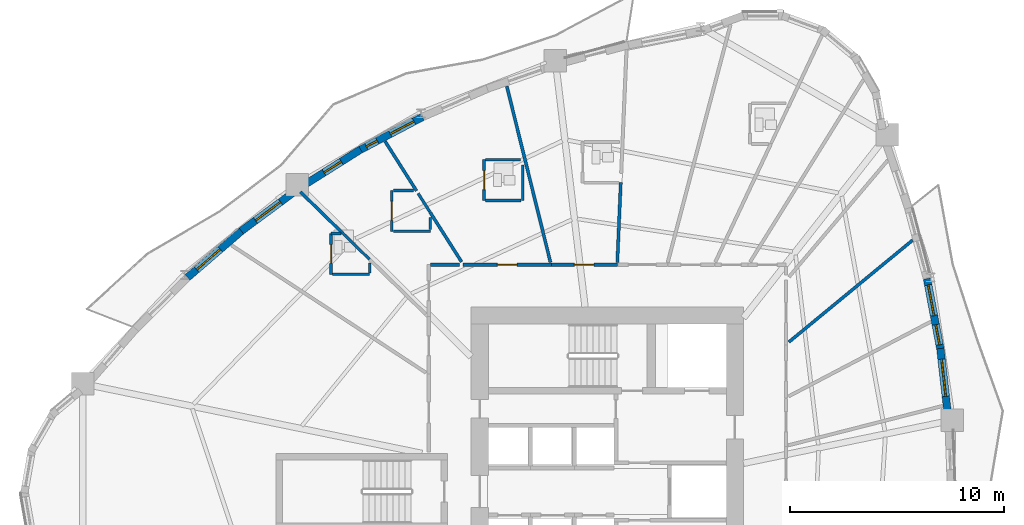
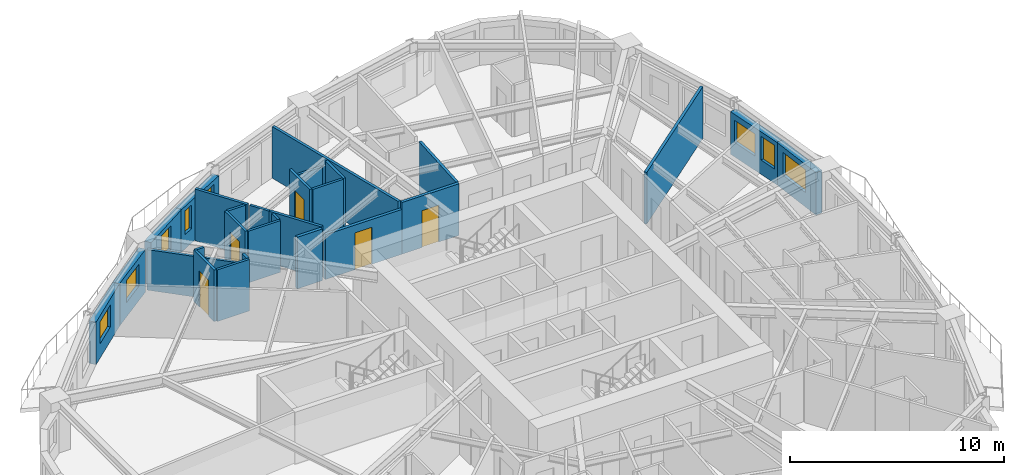
# One storey, part 8 of 14: 29 walls, 8 windows, 5 doors, 13 openings.
"""IFC4 building model written with IfcOpenShell, lengths in metres."""

from ifc_helpers import new_model, si_unit, direction, frame, frame_2d, origin, place, context, subcontext, project, spatial, rectangle, extrude, source, transform, mapped, material, layer, layer_set, type_object, element, fill, save


model = new_model("IFC4")

# Units and contexts
model_context = context("Model", 3, precision=1e-05, world=origin(), true_north=direction((0.0, 1.0)))
body_context = subcontext(model_context, "Body", "Model", "MODEL_VIEW")
ifc_project = project(units=[si_unit("LENGTHUNIT", "METRE"), si_unit("AREAUNIT", "SQUARE_METRE"), si_unit("VOLUMEUNIT", "CUBIC_METRE"), si_unit("PLANEANGLEUNIT", "RADIAN"), si_unit("MASSUNIT", "GRAM", prefix="KILO")], contexts=[model_context])

# Site, building, storey
site_placement = place(None, origin())
site = spatial("IfcSite", under=ifc_project, at=site_placement, CompositionType="ELEMENT")
building_placement = place(site_placement, origin())
building = spatial("IfcBuilding", under=site, at=building_placement, Name="Qafzar Sky-Pleat Residences", CompositionType="ELEMENT")
storey_placement = place(building_placement, frame((0.0, 0.0, 14.199951171875)))
storey = spatial("IfcBuildingStorey", under=building, at=storey_placement, Name="L03", CompositionType="ELEMENT", Elevation=14.199951171875)

# Wall, opening, door
ifc_material_1 = material(Name="Acoustic gypsum plasterboard partition", Category="gypsum")
ifc_layer_1 = layer(ifc_material_1, 0.159912109375)
ifc_layer_set_1 = layer_set([ifc_layer_1], Name="Acoustic gypsum plasterboard partition")
wall_type_1 = type_object("IfcWallType", Name="PART-COR-160", PredefinedType="PARTITIONING", material=ifc_layer_set_1)
wall_1_placement = place(storey_placement, frame((23.617919921875, 36.580078125, 0.0), z_axis=(0.0, 0.0, 1.0), x_axis=(1.0, 0.0, 0.0)))
wall_1 = element("IfcWall", 1, at=wall_1_placement, inside=storey, type_object=wall_type_1, Name="L03 Partition Wall PART-L03-PW-001", PredefinedType="PARTITIONING", context=body_context, shape_type="SweptSolid", body=[
    extrude(rectangle(XDim=4.123046875, YDim=0.159912109375, at=frame_2d((2.0615234375, 0.0))), origin(), (0.0, 0.0, 1.0), 2.548095703125),
])
opening_1_placement = place(wall_1_placement, frame((1.60302734375, 0.0, 0.0)))
opening_1 = element("IfcOpeningElement", 2, at=opening_1_placement, cuts=wall_1, Name="Opening ID-04", PredefinedType="OPENING", context=body_context, shape_type="SweptSolid", body=[
    extrude(rectangle(XDim=0.919921875, YDim=2.10009765625, at=frame_2d((0.4599609375, 1.050048828125))), frame((0.0, 0.08984375, 0.0), z_axis=(0.0, -1.0, 0.0), x_axis=(1.0, 0.0, 0.0)), (0.0, 0.0, 1.0), 0.179931640625),
])
ifc_material_2 = material(Name="Timber-faced fire door", Category="wood")
door_type_1 = type_object("IfcDoorType", Name="DR-BED-920", OperationType="NOTDEFINED", PredefinedType="DOOR", material=ifc_material_2)
shared_shape_1 = source(origin(), body_context, "Body", "SweptSolid", [
    extrude(rectangle(XDim=0.919921875, YDim=2.10009765625, at=frame_2d((0.4599609375, 1.050048828125))), frame((0.0, 0.02490234375, 0.0), z_axis=(0.0, -1.0, 0.0), x_axis=(1.0, 0.0, 0.0)), (0.0, 0.0, 1.0), 0.050048828125),
])
door_1_placement = place(opening_1_placement, origin())
door_1 = element("IfcDoor", 3, at=door_1_placement, inside=storey, type_object=door_type_1, Name="L03 Co-Living Bedroom 9 Door", OperationType="SINGLE_SWING_LEFT", OverallHeight=2.10009765625, OverallWidth=0.919921875, PredefinedType="DOOR", context=body_context, shape_type="MappedRepresentation", body=[
    mapped(shared_shape_1, transform((0.0, 0.0, 0.0), x_axis=(1.0, 0.0, 0.0), y_axis=(0.0, 1.0, 0.0), z_axis=(0.0, 0.0, 1.0), scale=1.0)),
])
fill(opening_1, door_1)

wall_2_placement = place(storey_placement, frame((27.756103515625, 36.580078125, 0.0), z_axis=(0.0, 0.0, 1.0), x_axis=(1.0, 0.0, 0.0)))
wall_2 = element("IfcWall", 4, at=wall_2_placement, inside=storey, type_object=wall_type_1, Name="L03 Partition Wall PART-L03-PW-006", PredefinedType="PARTITIONING", context=body_context, shape_type="SweptSolid", body=[
    extrude(rectangle(XDim=3.06982421875, YDim=0.159912109375, at=frame_2d((1.534912109375, 0.0))), origin(), (0.0, 0.0, 1.0), 2.93994140625),
])
opening_2_placement = place(wall_2_placement, frame((1.052490234375, 0.0, 0.0)))
opening_2 = element("IfcOpeningElement", 5, at=opening_2_placement, cuts=wall_2, Name="Opening ID-04", PredefinedType="OPENING", context=body_context, shape_type="SweptSolid", body=[
    extrude(rectangle(XDim=0.919921875, YDim=2.10009765625, at=frame_2d((0.4599609375, 1.050048828125))), frame((0.0, 0.08984375, 0.0), z_axis=(0.0, -1.0, 0.0), x_axis=(1.0, 0.0, 0.0)), (0.0, 0.0, 1.0), 0.179931640625),
])
door_2_placement = place(opening_2_placement, origin())
door_2 = element("IfcDoor", 6, at=door_2_placement, inside=storey, type_object=door_type_1, Name="L03 Co-Living Bedroom 8 Door", OperationType="SINGLE_SWING_LEFT", OverallHeight=2.10009765625, OverallWidth=0.919921875, PredefinedType="DOOR", context=body_context, shape_type="MappedRepresentation", body=[
    mapped(shared_shape_1, transform((0.0, 0.0, 0.0), x_axis=(1.0, 0.0, 0.0), y_axis=(0.0, 1.0, 0.0), z_axis=(0.0, 0.0, 1.0), scale=1.0)),
])
fill(opening_2, door_2)

# Walls
wall_3_placement = place(storey_placement, frame((22.10791015625, 36.580078125, 0.0), z_axis=(0.0, 0.0, 1.0), x_axis=(1.0, 0.0, 0.0)))
element("IfcWall", 7, at=wall_3_placement, inside=storey, type_object=wall_type_1, Name="L03 Partition Wall PART-L03-PW-097", PredefinedType="PARTITIONING", context=body_context, shape_type="SweptSolid", body=[
    extrude(rectangle(XDim=1.350341796875, YDim=0.159912109375, at=frame_2d((0.67529296875, 0.0))), origin(), (0.0, 0.0, 1.0), 2.93994140625),
])
ifc_layer_2 = layer(ifc_material_1, 0.14501953125)
ifc_layer_set_2 = layer_set([ifc_layer_2], Name="Acoustic gypsum plasterboard partition")
wall_type_2 = type_object("IfcWallType", Name="PART-UNIT-145", PredefinedType="PARTITIONING", material=ifc_layer_set_2)
wall_4_placement = place(storey_placement, frame((25.6630859375, 44.89892578125, 0.0), z_axis=(0.0, 0.0, 1.0), x_axis=(0.240695577024, -0.970600658974, 0.0)))
element("IfcWall", 8, at=wall_4_placement, inside=storey, type_object=wall_type_2, Name="L03 Partition Wall PART-L03-PW-046", PredefinedType="PARTITIONING", context=body_context, shape_type="SweptSolid", body=[
    extrude(rectangle(XDim=8.46240234375, YDim=0.14501953125, at=frame_2d((4.231201171875, 0.0))), origin(), (0.0, 0.0, 1.0), 2.93994140625),
])
wall_5_placement = place(storey_placement, frame((38.812255859375, 32.966796875, 0.0), z_axis=(0.0, 0.0, 1.0), x_axis=(0.772048037558, 0.635564180633, 0.0)))
element("IfcWall", 9, at=wall_5_placement, inside=storey, type_object=wall_type_2, Name="L03 Partition Wall PART-L03-PW-048", PredefinedType="PARTITIONING", context=body_context, shape_type="SweptSolid", body=[
    extrude(rectangle(XDim=7.47705078125, YDim=0.14501953125, at=frame_2d((3.738525390625, 0.0))), origin(), (0.0, 0.0, 1.0), 2.93994140625),
])
wall_6_placement = place(storey_placement, frame((30.81494140625, 36.671142578125, 0.0), z_axis=(0.0, 0.0, 1.0), x_axis=(0.043352224588, 0.999059850371, 0.0)))
element("IfcWall", 10, at=wall_6_placement, inside=storey, type_object=wall_type_2, Name="L03 Partition Wall PART-L03-PW-062", PredefinedType="PARTITIONING", context=body_context, shape_type="SweptSolid", body=[
    extrude(rectangle(XDim=3.7392578125, YDim=0.14501953125, at=frame_2d((1.86962890625, 0.0))), origin(), (0.0, 0.0, 1.0), 2.93994140625),
])
wall_7_placement = place(storey_placement, frame((22.08203125, 39.028076171875, 0.0), z_axis=(0.0, 0.0, 1.0), x_axis=(0.535944885386, -0.844252971465, 0.0)))
element("IfcWall", 11, at=wall_7_placement, inside=storey, type_object=wall_type_2, Name="L03 Partition Wall PART-L03-PW-069", PredefinedType="PARTITIONING", context=body_context, shape_type="SweptSolid", body=[
    extrude(rectangle(XDim=2.7509765625, YDim=0.14501953125, at=frame_2d((1.37548828125, 0.0))), origin(), (0.0, 0.0, 1.0), 2.93994140625),
])
wall_8_placement = place(storey_placement, frame((16.033935546875, 39.97412109375, 0.0), z_axis=(0.0, 0.0, 1.0), x_axis=(0.715628345471, -0.69848126042, 0.0)))
element("IfcWall", 12, at=wall_8_placement, inside=storey, type_object=wall_type_2, Name="L03 Partition Wall PART-L03-PW-071", PredefinedType="PARTITIONING", context=body_context, shape_type="SweptSolid", body=[
    extrude(rectangle(XDim=2.790771484375, YDim=0.14501953125, at=frame_2d((1.3955078125, 0.0))), origin(), (0.0, 0.0, 1.0), 2.30810546875),
])
wall_9_placement = place(storey_placement, frame((19.98681640625, 42.329833984375, 0.0), z_axis=(0.0, 0.0, 1.0), x_axis=(0.535808561115, -0.844339496788, 0.0)))
element("IfcWall", 13, at=wall_9_placement, inside=storey, type_object=wall_type_2, Name="L03 Partition Wall PART-L03-PW-072", PredefinedType="PARTITIONING", context=body_context, shape_type="SweptSolid", body=[
    extrude(rectangle(XDim=2.740234375, YDim=0.14501953125, at=frame_2d((1.3701171875, 0.0))), origin(), (0.0, 0.0, 1.0), 2.93994140625),
])

# Wall, opening, door
ifc_material_3 = material(Name="Moisture-resistant gypsum partition", Category="gypsum")
ifc_layer_3 = layer(ifc_material_3, 0.1298828125)
ifc_layer_set_3 = layer_set([ifc_layer_3], Name="Moisture-resistant gypsum partition")
wall_type_3 = type_object("IfcWallType", Name="PART-WET-130", PredefinedType="PARTITIONING", material=ifc_layer_set_3)
wall_10_placement = place(storey_placement, frame((24.60595703125, 41.469970703125, 0.0), z_axis=(0.0, 0.0, 1.0), x_axis=(0.0, -1.0, 0.0)))
wall_10 = element("IfcWall", 14, at=wall_10_placement, inside=storey, type_object=wall_type_3, Name="L03 Partition Wall PART-L03-PW-029", PredefinedType="PARTITIONING", context=body_context, shape_type="SweptSolid", body=[
    extrude(rectangle(XDim=1.89990234375, YDim=0.1298828125, at=frame_2d((0.949951171875, 0.0))), origin(), (0.0, 0.0, 1.0), 2.93994140625),
])
opening_3_placement = place(wall_10_placement, frame((0.510009765625, 0.0, 0.0)))
opening_3 = element("IfcOpeningElement", 15, at=opening_3_placement, cuts=wall_10, Name="Opening ID-07", PredefinedType="OPENING", context=body_context, shape_type="SweptSolid", body=[
    extrude(rectangle(XDim=0.8798828125, YDim=2.050048828125, at=frame_2d((0.43994140625, 1.02490234375))), frame((0.0, 0.074951171875, 0.0), z_axis=(0.0, -1.0, 0.0), x_axis=(1.0, 0.0, 0.0)), (0.0, 0.0, 1.0), 0.14990234375),
])
door_type_2 = type_object("IfcDoorType", Name="DR-WET-880", OperationType="NOTDEFINED", PredefinedType="DOOR", material=ifc_material_2)
shared_shape_2 = source(origin(), body_context, "Body", "SweptSolid", [
    extrude(rectangle(XDim=0.8798828125, YDim=2.050048828125, at=frame_2d((0.43994140625, 1.02490234375))), frame((0.0, 0.02490234375, 0.0), z_axis=(0.0, -1.0, 0.0), x_axis=(1.0, 0.0, 0.0)), (0.0, 0.0, 1.0), 0.050048828125),
])
door_3_placement = place(opening_3_placement, origin())
door_3 = element("IfcDoor", 16, at=door_3_placement, inside=storey, type_object=door_type_2, Name="L03 En-suite Bathroom 9 Door", OperationType="SINGLE_SWING_LEFT", OverallHeight=2.050048828125, OverallWidth=0.8798828125, PredefinedType="DOOR", context=body_context, shape_type="MappedRepresentation", body=[
    mapped(shared_shape_2, transform((0.0, 0.0, 0.0), x_axis=(1.0, 0.0, 0.0), y_axis=(0.0, 1.0, 0.0), z_axis=(0.0, 0.0, 1.0), scale=1.0)),
])
fill(opening_3, door_3)

wall_11_placement = place(storey_placement, frame((17.470947265625, 38.02490234375, 0.0), z_axis=(0.0, 0.0, 1.0), x_axis=(0.0, -1.0, 0.0)))
wall_11 = element("IfcWall", 17, at=wall_11_placement, inside=storey, type_object=wall_type_3, Name="L03 Partition Wall PART-L03-PW-030", PredefinedType="PARTITIONING", context=body_context, shape_type="SweptSolid", body=[
    extrude(rectangle(XDim=1.89990234375, YDim=0.1298828125, at=frame_2d((0.949951171875, 0.0))), origin(), (0.0, 0.0, 1.0), 2.93994140625),
])
opening_4_placement = place(wall_11_placement, frame((0.510009765625, 0.0, 0.0)))
opening_4 = element("IfcOpeningElement", 18, at=opening_4_placement, cuts=wall_11, Name="Opening ID-07", PredefinedType="OPENING", context=body_context, shape_type="SweptSolid", body=[
    extrude(rectangle(XDim=0.8798828125, YDim=2.050048828125, at=frame_2d((0.43994140625, 1.02490234375))), frame((0.0, 0.074951171875, 0.0), z_axis=(0.0, -1.0, 0.0), x_axis=(1.0, 0.0, 0.0)), (0.0, 0.0, 1.0), 0.14990234375),
])
door_4_placement = place(opening_4_placement, origin())
door_4 = element("IfcDoor", 19, at=door_4_placement, inside=storey, type_object=door_type_2, Name="L03 En-suite Bathroom 10 Door", OperationType="SINGLE_SWING_RIGHT", OverallHeight=2.050048828125, OverallWidth=0.8798828125, PredefinedType="DOOR", context=body_context, shape_type="MappedRepresentation", body=[
    mapped(shared_shape_2, transform((0.0, 0.0, 0.0), x_axis=(1.0, 0.0, 0.0), y_axis=(0.0, 1.0, 0.0), z_axis=(0.0, 0.0, 1.0), scale=1.0)),
])
fill(opening_4, door_4)

wall_12_placement = place(storey_placement, frame((20.297119140625, 40.031005859375, 0.0), z_axis=(0.0, 0.0, 1.0), x_axis=(0.0, -1.0, 0.0)))
wall_12 = element("IfcWall", 20, at=wall_12_placement, inside=storey, type_object=wall_type_3, Name="L03 Partition Wall PART-L03-PW-031", PredefinedType="PARTITIONING", context=body_context, shape_type="SweptSolid", body=[
    extrude(rectangle(XDim=1.89990234375, YDim=0.1298828125, at=frame_2d((0.949951171875, 0.0))), origin(), (0.0, 0.0, 1.0), 2.93994140625),
])
opening_5_placement = place(wall_12_placement, frame((0.510009765625, 0.0, 0.0)))
opening_5 = element("IfcOpeningElement", 21, at=opening_5_placement, cuts=wall_12, Name="Opening ID-07", PredefinedType="OPENING", context=body_context, shape_type="SweptSolid", body=[
    extrude(rectangle(XDim=0.8798828125, YDim=2.050048828125, at=frame_2d((0.43994140625, 1.02490234375))), frame((0.0, 0.074951171875, 0.0), z_axis=(0.0, -1.0, 0.0), x_axis=(1.0, 0.0, 0.0)), (0.0, 0.0, 1.0), 0.14990234375),
])
door_5_placement = place(opening_5_placement, origin())
door_5 = element("IfcDoor", 22, at=door_5_placement, inside=storey, type_object=door_type_2, Name="L03 En-suite Bathroom 11 Door", OperationType="SINGLE_SWING_LEFT", OverallHeight=2.050048828125, OverallWidth=0.8798828125, PredefinedType="DOOR", context=body_context, shape_type="MappedRepresentation", body=[
    mapped(shared_shape_2, transform((0.0, 0.0, 0.0), x_axis=(1.0, 0.0, 0.0), y_axis=(0.0, 1.0, 0.0), z_axis=(0.0, 0.0, 1.0), scale=1.0)),
])
fill(opening_5, door_5)

# Walls
wall_13_placement = place(storey_placement, frame((26.406005859375, 39.570068359375, 0.0), z_axis=(0.0, 0.0, 1.0), x_axis=(0.0, 1.0, 0.0)))
element("IfcWall", 23, at=wall_13_placement, inside=storey, type_object=wall_type_3, Name="L03 Partition Wall PART-L03-PW-076", PredefinedType="PARTITIONING", context=body_context, shape_type="SweptSolid", body=[
    extrude(rectangle(XDim=1.659912109375, YDim=0.1298828125, at=frame_2d((0.830078125, 0.0))), origin(), (0.0, 0.0, 1.0), 2.93994140625),
])
wall_14_placement = place(storey_placement, frame((17.5439453125, 36.125, 0.0), z_axis=(0.0, 0.0, 1.0), x_axis=(1.0, 0.0, 0.0)))
element("IfcWall", 24, at=wall_14_placement, inside=storey, type_object=wall_type_3, Name="L03 Partition Wall PART-L03-PW-082", PredefinedType="PARTITIONING", context=body_context, shape_type="SweptSolid", body=[
    extrude(rectangle(XDim=1.72705078125, YDim=0.1298828125, at=frame_2d((0.863525390625, 0.0))), origin(), (0.0, 0.0, 1.0), 2.93994140625),
])
wall_15_placement = place(storey_placement, frame((20.3701171875, 38.131103515625, 0.0), z_axis=(0.0, 0.0, 1.0), x_axis=(1.0, 0.0, 0.0)))
element("IfcWall", 25, at=wall_15_placement, inside=storey, type_object=wall_type_3, Name="L03 Partition Wall PART-L03-PW-083", PredefinedType="PARTITIONING", context=body_context, shape_type="SweptSolid", body=[
    extrude(rectangle(XDim=1.726806640625, YDim=0.1298828125, at=frame_2d((0.86328125, 0.0))), origin(), (0.0, 0.0, 1.0), 2.93994140625),
])
wall_16_placement = place(storey_placement, frame((24.678955078125, 41.469970703125, 0.0), z_axis=(0.0, 0.0, 1.0), x_axis=(1.0, 0.0, 0.0)))
element("IfcWall", 26, at=wall_16_placement, inside=storey, type_object=wall_type_3, Name="L03 Partition Wall PART-L03-PW-087", PredefinedType="PARTITIONING", context=body_context, shape_type="SweptSolid", body=[
    extrude(rectangle(XDim=1.628173828125, YDim=0.1298828125, at=frame_2d((0.81396484375, 0.0))), origin(), (0.0, 0.0, 1.0), 2.508056640625),
])
wall_17_placement = place(storey_placement, frame((24.678955078125, 39.570068359375, 0.0), z_axis=(0.0, 0.0, 1.0), x_axis=(1.0, 0.0, 0.0)))
element("IfcWall", 27, at=wall_17_placement, inside=storey, type_object=wall_type_3, Name="L03 Partition Wall PART-L03-PW-088", PredefinedType="PARTITIONING", context=body_context, shape_type="SweptSolid", body=[
    extrude(rectangle(XDim=1.654052734375, YDim=0.1298828125, at=frame_2d((0.8271484375, 0.0))), origin(), (0.0, 0.0, 1.0), 2.93994140625),
])
wall_18_placement = place(storey_placement, frame((18.041748046875, 38.014404296875, 0.0), z_axis=(0.0, 0.0, 1.0), x_axis=(0.715729497461, -0.698377610225, 0.0)))
element("IfcWall", 28, at=wall_18_placement, inside=storey, type_object=wall_type_3, Name="L03 Partition Wall PART-L03-PW-095", PredefinedType="PARTITIONING", context=body_context, shape_type="SweptSolid", body=[
    extrude(rectangle(XDim=1.702392578125, YDim=0.1298828125, at=frame_2d((0.85107421875, 0.0))), origin(), (0.0, 0.0, 1.0), 2.30810546875),
])
wall_19_placement = place(storey_placement, frame((20.3701171875, 40.031005859375, 0.0), z_axis=(0.0, 0.0, 1.0), x_axis=(1.0, 0.0, 0.0)))
element("IfcWall", 29, at=wall_19_placement, inside=storey, type_object=wall_type_3, Name="L03 Partition Wall PART-L03-PW-103", PredefinedType="PARTITIONING", context=body_context, shape_type="SweptSolid", body=[
    extrude(rectangle(XDim=0.940673828125, YDim=0.1298828125, at=frame_2d((0.47021484375, 0.0))), origin(), (0.0, 0.0, 1.0), 2.93994140625),
])
wall_20_placement = place(storey_placement, frame((21.53076171875, 39.896728515625, 0.0), z_axis=(0.0, 0.0, 1.0), x_axis=(0.536002688679, -0.844216274262, 0.0)))
element("IfcWall", 30, at=wall_20_placement, inside=storey, type_object=wall_type_3, Name="L03 Partition Wall PART-L03-PW-104", PredefinedType="PARTITIONING", context=body_context, shape_type="SweptSolid", body=[
    extrude(rectangle(XDim=1.013916015625, YDim=0.1298828125, at=frame_2d((0.5068359375, 0.0))), origin(), (0.0, 0.0, 1.0), 2.93994140625),
])
wall_21_placement = place(storey_placement, frame((22.096923828125, 38.2041015625, 0.0), z_axis=(0.0, 0.0, 1.0), x_axis=(0.0, 1.0, 0.0)))
element("IfcWall", 31, at=wall_21_placement, inside=storey, type_object=wall_type_3, Name="L03 Partition Wall PART-L03-PW-110", PredefinedType="PARTITIONING", context=body_context, shape_type="SweptSolid", body=[
    extrude(rectangle(XDim=0.560791015625, YDim=0.1298828125, at=frame_2d((0.2802734375, 0.0))), origin(), (0.0, 0.0, 1.0), 2.93994140625),
])
wall_22_placement = place(storey_placement, frame((19.27099609375, 36.197998046875, 0.0), z_axis=(0.0, 0.0, 1.0), x_axis=(0.0, 1.0, 0.0)))
element("IfcWall", 32, at=wall_22_placement, inside=storey, type_object=wall_type_3, Name="L03 Partition Wall PART-L03-PW-115", PredefinedType="PARTITIONING", context=body_context, shape_type="SweptSolid", body=[
    extrude(rectangle(XDim=0.444091796875, YDim=0.1298828125, at=frame_2d((0.22216796875, 0.0))), origin(), (0.0, 0.0, 1.0), 2.93994140625),
])
wall_23_placement = place(storey_placement, frame((17.470947265625, 38.02490234375, 0.0), z_axis=(0.0, 0.0, 1.0), x_axis=(1.0, 0.0, 0.0)))
element("IfcWall", 33, at=wall_23_placement, inside=storey, type_object=wall_type_3, Name="L03 Partition Wall PART-L03-PW-117", PredefinedType="PARTITIONING", context=body_context, shape_type="SweptSolid", body=[
    extrude(rectangle(XDim=0.469970703125, YDim=0.1298828125, at=frame_2d((0.23486328125, 0.0))), origin(), (0.0, 0.0, 1.0), 2.93994140625),
])

# Wall, opening, window
ifc_material_4 = material(Name="Precast concrete C40/50 with honed Riyadh limestone", Category="concrete")
ifc_layer_4 = layer(ifc_material_4, 0.35009765625)
ifc_layer_set_4 = layer_set([ifc_layer_4], Name="Precast concrete C40/50 with honed Riyadh limestone")
wall_type_4 = type_object("IfcWallType", Name="WALL-EXT-350", PredefinedType="SOLIDWALL", material=ifc_layer_set_4)
wall_24_placement = place(storey_placement, frame((46.22509765625, 29.603759765625, 0.0), z_axis=(0.0, 0.0, 1.0), x_axis=(-0.113323399269, 0.993558154905, 0.0)))
wall_24 = element("IfcWall", 34, at=wall_24_placement, inside=storey, type_object=wall_type_4, Name="L03 Limestone Facade Wall 29", PredefinedType="SOLIDWALL", context=body_context, shape_type="SweptSolid", body=[
    extrude(rectangle(XDim=3.0849609375, YDim=0.35009765625, at=frame_2d((1.54248046875, 0.0))), origin(), (0.0, 0.0, 1.0), 2.420166015625),
])
opening_6_placement = place(wall_24_placement, frame((0.8349609375, 0.0, 0.820068359375)))
opening_6 = element("IfcOpeningElement", 35, at=opening_6_placement, cuts=wall_24, Name="Opening WN-14", PredefinedType="OPENING", context=body_context, shape_type="SweptSolid", body=[
    extrude(rectangle(XDim=1.75, YDim=1.300048828125, at=frame_2d((0.875, 0.64990234375))), frame((0.0, 0.18505859375, 0.0), z_axis=(0.0, -1.0, 0.0), x_axis=(1.0, 0.0, 0.0)), (0.0, 0.0, 1.0), 0.3701171875),
])
ifc_material_5 = material(Name="Solar-control low-E glass in bronze aluminium frame", Category="glass")
window_type_1 = type_object("IfcWindowType", Name="WIN-14", PartitioningType="DOUBLE_PANEL_VERTICAL", PredefinedType="WINDOW", material=ifc_material_5)
shared_shape_3 = source(origin(), body_context, "Body", "SweptSolid", [
    extrude(rectangle(XDim=1.75, YDim=1.300048828125, at=frame_2d((0.875, 0.64990234375))), frame((0.0, 0.030029296875, 0.0), z_axis=(0.0, -1.0, 0.0), x_axis=(1.0, 0.0, 0.0)), (0.0, 0.0, 1.0), 0.06005859375),
])
window_1_placement = place(opening_6_placement, origin())
window_1 = element("IfcWindow", 36, at=window_1_placement, inside=storey, type_object=window_type_1, Name="L03 Punched Facade Window 29-2", OverallHeight=1.300048828125, OverallWidth=1.75, PartitioningType="SINGLE_PANEL", PredefinedType="WINDOW", context=body_context, shape_type="MappedRepresentation", body=[
    mapped(shared_shape_3, transform((0.0, 0.0, 0.0), x_axis=(1.0, 0.0, 0.0), y_axis=(0.0, 1.0, 0.0), z_axis=(0.0, 0.0, 1.0), scale=1.0)),
])
fill(opening_6, window_1)

# Wall, openings, windows
wall_25_placement = place(storey_placement, frame((45.888916015625, 32.5810546875, 0.0), z_axis=(0.0, 0.0, 1.0), x_axis=(-0.186670339622, 0.98242260983, 0.0)))
wall_25 = element("IfcWall", 37, at=wall_25_placement, inside=storey, type_object=wall_type_4, Name="L03 Limestone Facade Wall 30", PredefinedType="SOLIDWALL", context=body_context, shape_type="SweptSolid", body=[
    extrude(rectangle(XDim=3.403076171875, YDim=0.35009765625, at=frame_2d((1.70166015625, 0.0))), origin(), (0.0, 0.0, 1.0), 2.420166015625),
])
opening_7_placement = place(wall_25_placement, frame((0.2685546875, 0.0, 0.820068359375)))
opening_7 = element("IfcOpeningElement", 38, at=opening_7_placement, cuts=wall_25, Name="Opening WN-12", PredefinedType="OPENING", context=body_context, shape_type="SweptSolid", body=[
    extrude(rectangle(XDim=0.949951171875, YDim=1.35009765625, at=frame_2d((0.47509765625, 0.675048828125))), frame((0.0, 0.18505859375, 0.0), z_axis=(0.0, -1.0, 0.0), x_axis=(1.0, 0.0, 0.0)), (0.0, 0.0, 1.0), 0.3701171875),
])
opening_8_placement = place(wall_25_placement, frame((1.650146484375, 0.0, 0.820068359375)))
opening_8 = element("IfcOpeningElement", 39, at=opening_8_placement, cuts=wall_25, Name="Opening WN-15", PredefinedType="OPENING", context=body_context, shape_type="SweptSolid", body=[
    extrude(rectangle(XDim=1.449951171875, YDim=1.25, at=frame_2d((0.72509765625, 0.625))), frame((0.0, 0.18505859375, 0.0), z_axis=(0.0, -1.0, 0.0), x_axis=(1.0, 0.0, 0.0)), (0.0, 0.0, 1.0), 0.3701171875),
])
window_type_2 = type_object("IfcWindowType", Name="WIN-12", PartitioningType="SINGLE_PANEL", PredefinedType="WINDOW", material=ifc_material_5)
shared_shape_4 = source(origin(), body_context, "Body", "SweptSolid", [
    extrude(rectangle(XDim=0.949951171875, YDim=1.35009765625, at=frame_2d((0.47509765625, 0.675048828125))), frame((0.0, 0.030029296875, 0.0), z_axis=(0.0, -1.0, 0.0), x_axis=(1.0, 0.0, 0.0)), (0.0, 0.0, 1.0), 0.06005859375),
])
window_2_placement = place(opening_7_placement, origin())
window_2 = element("IfcWindow", 40, at=window_2_placement, inside=storey, type_object=window_type_2, Name="L03 Punched Facade Window 30", OverallHeight=1.35009765625, OverallWidth=0.949951171875, PartitioningType="SINGLE_PANEL", PredefinedType="WINDOW", context=body_context, shape_type="MappedRepresentation", body=[
    mapped(shared_shape_4, transform((0.0, 0.0, 0.0), x_axis=(1.0, 0.0, 0.0), y_axis=(0.0, 1.0, 0.0), z_axis=(0.0, 0.0, 1.0), scale=1.0)),
])
fill(opening_7, window_2)
window_type_3 = type_object("IfcWindowType", Name="WIN-15", PartitioningType="SINGLE_PANEL", PredefinedType="WINDOW", material=ifc_material_5)
shared_shape_5 = source(origin(), body_context, "Body", "SweptSolid", [
    extrude(rectangle(XDim=1.449951171875, YDim=1.25, at=frame_2d((0.72509765625, 0.625))), frame((0.0, 0.030029296875, 0.0), z_axis=(0.0, -1.0, 0.0), x_axis=(1.0, 0.0, 0.0)), (0.0, 0.0, 1.0), 0.06005859375),
])
window_3_placement = place(opening_8_placement, origin())
window_3 = element("IfcWindow", 41, at=window_3_placement, inside=storey, type_object=window_type_3, Name="L03 Punched Facade Window 30-2", OverallHeight=1.25, OverallWidth=1.449951171875, PartitioningType="SINGLE_PANEL", PredefinedType="WINDOW", context=body_context, shape_type="MappedRepresentation", body=[
    mapped(shared_shape_5, transform((0.0, 0.0, 0.0), x_axis=(1.0, 0.0, 0.0), y_axis=(0.0, 1.0, 0.0), z_axis=(0.0, 0.0, 1.0), scale=1.0)),
])
fill(opening_8, window_3)

wall_26_placement = place(storey_placement, frame((21.7275390625, 43.4619140625, 0.0), z_axis=(0.0, 0.0, 1.0), x_axis=(-0.884404833282, -0.466720570435, 0.0)))
wall_26 = element("IfcWall", 42, at=wall_26_placement, inside=storey, type_object=wall_type_4, Name="L03 Limestone Facade Wall 43", PredefinedType="SOLIDWALL", context=body_context, shape_type="SweptSolid", body=[
    extrude(rectangle(XDim=3.345703125, YDim=0.35009765625, at=frame_2d((1.6728515625, 0.0))), origin(), (0.0, 0.0, 1.0), 2.420166015625),
])
opening_9_placement = place(wall_26_placement, frame((0.43994140625, 0.0, 0.820068359375)))
opening_9 = element("IfcOpeningElement", 43, at=opening_9_placement, cuts=wall_26, Name="Opening WN-11", PredefinedType="OPENING", context=body_context, shape_type="SweptSolid", body=[
    extrude(rectangle(XDim=1.25, YDim=1.35009765625, at=frame_2d((0.625, 0.675048828125))), frame((0.0, 0.18505859375, 0.0), z_axis=(0.0, -1.0, 0.0), x_axis=(1.0, 0.0, 0.0)), (0.0, 0.0, 1.0), 0.3701171875),
])
opening_10_placement = place(wall_26_placement, frame((2.3779296875, 0.0, 0.820068359375)))
opening_10 = element("IfcOpeningElement", 44, at=opening_10_placement, cuts=wall_26, Name="Opening WN-17", PredefinedType="OPENING", context=body_context, shape_type="SweptSolid", body=[
    extrude(rectangle(XDim=0.580078125, YDim=1.35009765625, at=frame_2d((0.2900390625, 0.675048828125))), frame((0.0, 0.18505859375, 0.0), z_axis=(0.0, -1.0, 0.0), x_axis=(1.0, 0.0, 0.0)), (0.0, 0.0, 1.0), 0.3701171875),
])
window_type_4 = type_object("IfcWindowType", Name="WIN-17", PartitioningType="SINGLE_PANEL", PredefinedType="WINDOW", material=ifc_material_5)
shared_shape_6 = source(origin(), body_context, "Body", "SweptSolid", [
    extrude(rectangle(XDim=0.580078125, YDim=1.35009765625, at=frame_2d((0.2900390625, 0.675048828125))), frame((0.0, 0.030029296875, 0.0), z_axis=(0.0, -1.0, 0.0), x_axis=(1.0, 0.0, 0.0)), (0.0, 0.0, 1.0), 0.06005859375),
])
window_4_placement = place(opening_10_placement, origin())
window_4 = element("IfcWindow", 45, at=window_4_placement, inside=storey, type_object=window_type_4, Name="L03 Punched Facade Window 43-2", OverallHeight=1.35009765625, OverallWidth=0.580078125, PartitioningType="SINGLE_PANEL", PredefinedType="WINDOW", context=body_context, shape_type="MappedRepresentation", body=[
    mapped(shared_shape_6, transform((0.0, 0.0, 0.0), x_axis=(1.0, 0.0, 0.0), y_axis=(0.0, 1.0, 0.0), z_axis=(0.0, 0.0, 1.0), scale=1.0)),
])
fill(opening_10, window_4)
window_type_5 = type_object("IfcWindowType", Name="WIN-11", PartitioningType="SINGLE_PANEL", PredefinedType="WINDOW", material=ifc_material_5)
shared_shape_7 = source(origin(), body_context, "Body", "SweptSolid", [
    extrude(rectangle(XDim=1.25, YDim=1.35009765625, at=frame_2d((0.625, 0.675048828125))), frame((0.0, 0.030029296875, 0.0), z_axis=(0.0, -1.0, 0.0), x_axis=(1.0, 0.0, 0.0)), (0.0, 0.0, 1.0), 0.06005859375),
])
window_5_placement = place(opening_9_placement, origin())
window_5 = element("IfcWindow", 46, at=window_5_placement, inside=storey, type_object=window_type_5, Name="L03 Punched Facade Window 43", OverallHeight=1.35009765625, OverallWidth=1.25, PartitioningType="SINGLE_PANEL", PredefinedType="WINDOW", context=body_context, shape_type="MappedRepresentation", body=[
    mapped(shared_shape_7, transform((0.0, 0.0, 0.0), x_axis=(1.0, 0.0, 0.0), y_axis=(0.0, 1.0, 0.0), z_axis=(0.0, 0.0, 1.0), scale=1.0)),
])
fill(opening_9, window_5)

# Wall, opening, window
wall_27_placement = place(storey_placement, frame((18.845703125, 41.94482421875, 0.0), z_axis=(0.0, 0.0, 1.0), x_axis=(-0.846424281274, -0.532509094824, 0.0)))
wall_27 = element("IfcWall", 47, at=wall_27_placement, inside=storey, type_object=wall_type_4, Name="L03 Limestone Facade Wall 44", PredefinedType="SOLIDWALL", context=body_context, shape_type="SweptSolid", body=[
    extrude(rectangle(XDim=3.06591796875, YDim=0.35009765625, at=frame_2d((1.532958984375, 0.0))), origin(), (0.0, 0.0, 1.0), 2.420166015625),
])
opening_11_placement = place(wall_27_placement, frame((1.06298828125, 0.0, 0.820068359375)))
opening_11 = element("IfcOpeningElement", 48, at=opening_11_placement, cuts=wall_27, Name="Opening WN-12", PredefinedType="OPENING", context=body_context, shape_type="SweptSolid", body=[
    extrude(rectangle(XDim=0.949951171875, YDim=1.35009765625, at=frame_2d((0.47509765625, 0.675048828125))), frame((0.0, 0.18505859375, 0.0), z_axis=(0.0, -1.0, 0.0), x_axis=(1.0, 0.0, 0.0)), (0.0, 0.0, 1.0), 0.3701171875),
])
window_6_placement = place(opening_11_placement, origin())
window_6 = element("IfcWindow", 49, at=window_6_placement, inside=storey, type_object=window_type_2, Name="L03 Punched Facade Window 44", OverallHeight=1.35009765625, OverallWidth=0.949951171875, PartitioningType="SINGLE_PANEL", PredefinedType="WINDOW", context=body_context, shape_type="MappedRepresentation", body=[
    mapped(shared_shape_4, transform((0.0, 0.0, 0.0), x_axis=(1.0, 0.0, 0.0), y_axis=(0.0, 1.0, 0.0), z_axis=(0.0, 0.0, 1.0), scale=1.0)),
])
fill(opening_11, window_6)

wall_28_placement = place(storey_placement, frame((15.7666015625, 39.9814453125, 0.0), z_axis=(0.0, 0.0, 1.0), x_axis=(-0.803838872114, -0.59484709605, 0.0)))
wall_28 = element("IfcWall", 50, at=wall_28_placement, inside=storey, type_object=wall_type_4, Name="L03 Limestone Facade Wall 45", PredefinedType="SOLIDWALL", context=body_context, shape_type="SweptSolid", body=[
    extrude(rectangle(XDim=3.085205078125, YDim=0.35009765625, at=frame_2d((1.54248046875, 0.0))), origin(), (0.0, 0.0, 1.0), 2.420166015625),
])
opening_12_placement = place(wall_28_placement, frame((0.8125, 0.0, 0.820068359375)))
opening_12 = element("IfcOpeningElement", 51, at=opening_12_placement, cuts=wall_28, Name="Opening WN-15", PredefinedType="OPENING", context=body_context, shape_type="SweptSolid", body=[
    extrude(rectangle(XDim=1.449951171875, YDim=1.25, at=frame_2d((0.72509765625, 0.625))), frame((0.0, 0.18505859375, 0.0), z_axis=(0.0, -1.0, 0.0), x_axis=(1.0, 0.0, 0.0)), (0.0, 0.0, 1.0), 0.3701171875),
])
window_7_placement = place(opening_12_placement, origin())
window_7 = element("IfcWindow", 52, at=window_7_placement, inside=storey, type_object=window_type_3, Name="L03 Punched Facade Window 45", OverallHeight=1.25, OverallWidth=1.449951171875, PartitioningType="SINGLE_PANEL", PredefinedType="WINDOW", context=body_context, shape_type="MappedRepresentation", body=[
    mapped(shared_shape_5, transform((0.0, 0.0, 0.0), x_axis=(1.0, 0.0, 0.0), y_axis=(0.0, 1.0, 0.0), z_axis=(0.0, 0.0, 1.0), scale=1.0)),
])
fill(opening_12, window_7)

wall_29_placement = place(storey_placement, frame((13.356201171875, 38.201904296875, 0.0), z_axis=(0.0, 0.0, 1.0), x_axis=(-0.757466232343, -0.65287434232, 0.0)))
wall_29 = element("IfcWall", 53, at=wall_29_placement, inside=storey, type_object=wall_type_4, Name="L03 Limestone Facade Wall 46", PredefinedType="SOLIDWALL", context=body_context, shape_type="SweptSolid", body=[
    extrude(rectangle(XDim=3.4033203125, YDim=0.35009765625, at=frame_2d((1.70166015625, 0.0))), origin(), (0.0, 0.0, 1.0), 2.420166015625),
])
opening_13_placement = place(wall_29_placement, frame((1.3876953125, 0.0, 0.820068359375)))
opening_13 = element("IfcOpeningElement", 54, at=opening_13_placement, cuts=wall_29, Name="Opening WN-15", PredefinedType="OPENING", context=body_context, shape_type="SweptSolid", body=[
    extrude(rectangle(XDim=1.449951171875, YDim=1.25, at=frame_2d((0.72509765625, 0.625))), frame((0.0, 0.18505859375, 0.0), z_axis=(0.0, -1.0, 0.0), x_axis=(1.0, 0.0, 0.0)), (0.0, 0.0, 1.0), 0.3701171875),
])
window_8_placement = place(opening_13_placement, origin())
window_8 = element("IfcWindow", 55, at=window_8_placement, inside=storey, type_object=window_type_3, Name="L03 Punched Facade Window 46-2", OverallHeight=1.25, OverallWidth=1.449951171875, PartitioningType="SINGLE_PANEL", PredefinedType="WINDOW", context=body_context, shape_type="MappedRepresentation", body=[
    mapped(shared_shape_5, transform((0.0, 0.0, 0.0), x_axis=(1.0, 0.0, 0.0), y_axis=(0.0, 1.0, 0.0), z_axis=(0.0, 0.0, 1.0), scale=1.0)),
])
fill(opening_13, window_8)

save(model, "model.ifc")
